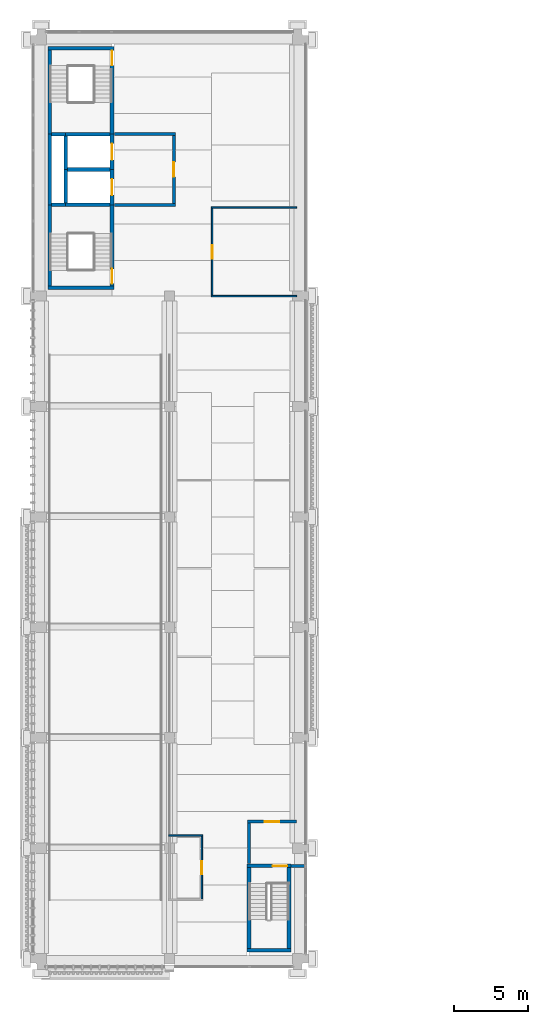
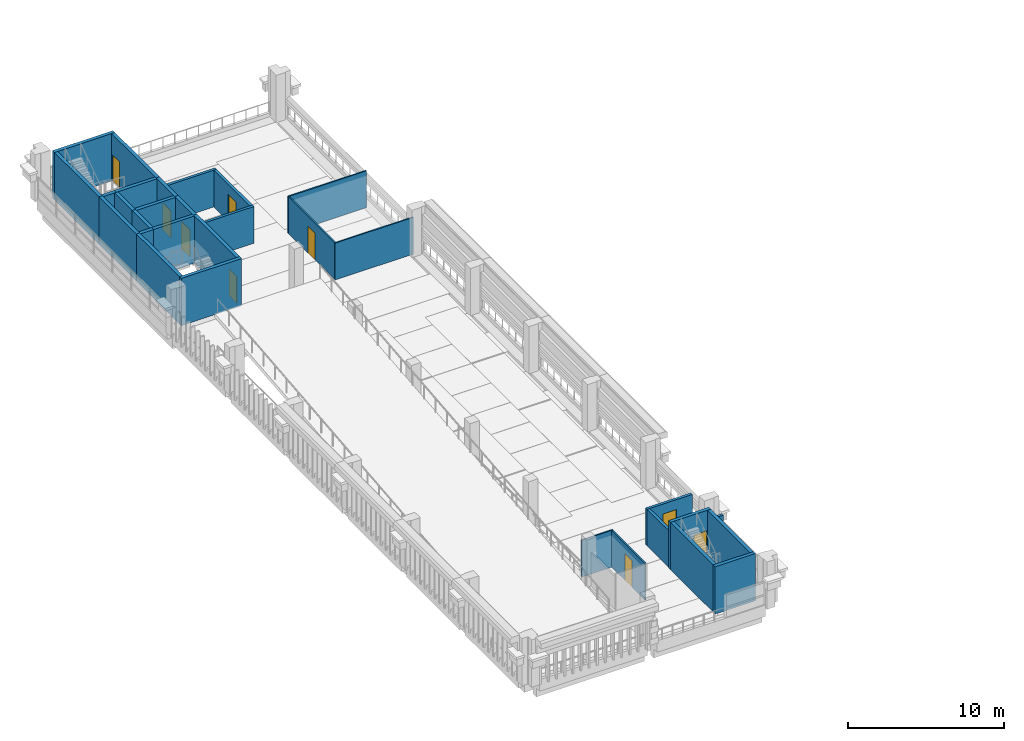
# One storey, part 9 of 25: 31 walls, 9 doors, 9 openings.
"""IFC4 building model written with IfcOpenShell, lengths in metres."""

from ifc_helpers import new_model, si_unit, direction, frame, frame_2d, origin, place, context, subcontext, project, spatial, rectangle, extrude, material, layer, layer_set, type_object, element, fill, save


model = new_model("IFC4")

# Units and contexts
model_context = context("Model", 3, precision=1e-05, world=origin(), true_north=direction((0.0, 1.0)))
body_context = subcontext(model_context, "Body", "Model", "MODEL_VIEW")
ifc_project = project(units=[si_unit("LENGTHUNIT", "METRE"), si_unit("AREAUNIT", "SQUARE_METRE"), si_unit("VOLUMEUNIT", "CUBIC_METRE"), si_unit("PLANEANGLEUNIT", "RADIAN"), si_unit("MASSUNIT", "GRAM", prefix="KILO")], contexts=[model_context])

# Site, building, storey
site_placement = place(None, origin())
site = spatial("IfcSite", under=ifc_project, at=site_placement, CompositionType="ELEMENT")
building_placement = place(site_placement, origin())
building = spatial("IfcBuilding", under=site, at=building_placement, Name="Cour d'Honneur Mobility Palace", CompositionType="ELEMENT")
storey_placement = place(building_placement, frame((0.0, 0.0, 30.39990234375)))
storey = spatial("IfcBuildingStorey", under=building, at=storey_placement, Name="L08", CompositionType="ELEMENT", Elevation=30.39990234375)

# Walls
ifc_material_1 = material(Name="Concrete C50", Category="concrete")
ifc_layer_1 = layer(ifc_material_1, 0.25)
ifc_layer_set_1 = layer_set([ifc_layer_1], Name="Concrete C50")
wall_type_1 = type_object("IfcWallType", Name="Lift shaft wall 250", PredefinedType="SHEAR", material=ifc_layer_set_1)
wall_1_placement = place(storey_placement, frame((1.77490234375, 53.60009765625, 0.0), z_axis=(0.0, 0.0, 1.0), x_axis=(1.0, 0.0, 0.0)))
element("IfcWall", 1, at=wall_1_placement, inside=storey, type_object=wall_type_1, Name="Lift shaft wall WL-CW4 L08", PredefinedType="SHEAR", context=body_context, shape_type="SweptSolid", body=[
    extrude(rectangle(XDim=2.900146484375, YDim=0.25, at=frame_2d((1.4501953125, 0.0))), origin(), (0.0, 0.0, 1.0), 3.7001953125),
])
wall_2_placement = place(storey_placement, frame((1.64990234375, 51.324951171875, 0.0), z_axis=(0.0, 0.0, 1.0), x_axis=(0.0, 1.0, 0.0)))
element("IfcWall", 2, at=wall_2_placement, inside=storey, type_object=wall_type_1, Name="Lift shaft wall WL-CW11 L08", PredefinedType="SHEAR", context=body_context, shape_type="SweptSolid", body=[
    extrude(rectangle(XDim=2.275146484375, YDim=0.25, at=frame_2d((1.1376953125, 0.0))), origin(), (0.0, 0.0, 1.0), 3.7001953125),
])
wall_3_placement = place(storey_placement, frame((1.64990234375, 53.60009765625, 0.0), z_axis=(0.0, 0.0, 1.0), x_axis=(0.0, 1.0, 0.0)))
element("IfcWall", 3, at=wall_3_placement, inside=storey, type_object=wall_type_1, Name="Lift shaft wall WL-CW12 L08", PredefinedType="SHEAR", context=body_context, shape_type="SweptSolid", body=[
    extrude(rectangle(XDim=2.27490234375, YDim=0.25, at=frame_2d((1.137451171875, 0.0))), origin(), (0.0, 0.0, 1.0), 3.7001953125),
])

# Wall, opening, door
wall_4_placement = place(storey_placement, frame((4.800048828125, 51.199951171875, 0.0), z_axis=(0.0, 0.0, 1.0), x_axis=(0.0, 1.0, 0.0)))
wall_4 = element("IfcWall", 4, at=wall_4_placement, inside=storey, type_object=wall_type_1, Name="Lift shaft wall WL-CW14 L08", PredefinedType="SHEAR", context=body_context, shape_type="SweptSolid", body=[
    extrude(rectangle(XDim=2.400146484375, YDim=0.25, at=frame_2d((1.2001953125, 0.0))), origin(), (0.0, 0.0, 1.0), 3.7001953125),
])
opening_1_placement = place(wall_4_placement, frame((0.64990234375, 0.0, 0.0)))
opening_1 = element("IfcOpeningElement", 5, at=opening_1_placement, cuts=wall_4, Name="Opening LD9", PredefinedType="OPENING", context=body_context, shape_type="SweptSolid", body=[
    extrude(rectangle(XDim=1.10009765625, YDim=2.10009765625, at=frame_2d((0.550048828125, 1.050048828125))), frame((0.0, 0.135009765625, 0.0), z_axis=(0.0, -1.0, 0.0), x_axis=(1.0, 0.0, 0.0)), (0.0, 0.0, 1.0), 0.27001953125),
])
ifc_material_2 = material(Name="Stainless steel", Category="steel")
door_type_1 = type_object("IfcDoorType", Name="Landing door 1100 x 2100", OperationType="SLIDING_TO_LEFT", PredefinedType="DOOR", material=ifc_material_2)
door_1_placement = place(opening_1_placement, origin())
door_1 = element("IfcDoor", 6, at=door_1_placement, inside=storey, type_object=door_type_1, Name="Landing door LF-CW1 L08", OperationType="SLIDING_TO_LEFT", OverallHeight=2.10009765625, OverallWidth=1.10009765625, PredefinedType="DOOR", context=body_context, shape_type="SweptSolid", body=[
    extrude(rectangle(XDim=1.10009765625, YDim=2.10009765625, at=frame_2d((0.550048828125, 1.050048828125))), frame((0.0, 0.02490234375, 0.0), z_axis=(0.0, -1.0, 0.0), x_axis=(1.0, 0.0, 0.0)), (0.0, 0.0, 1.0), 0.050048828125),
])
fill(opening_1, door_1)

wall_5_placement = place(storey_placement, frame((4.800048828125, 53.60009765625, 0.0), z_axis=(0.0, 0.0, 1.0), x_axis=(0.0, 1.0, 0.0)))
wall_5 = element("IfcWall", 7, at=wall_5_placement, inside=storey, type_object=wall_type_1, Name="Lift shaft wall WL-CW15 L08", PredefinedType="SHEAR", context=body_context, shape_type="SweptSolid", body=[
    extrude(rectangle(XDim=2.39990234375, YDim=0.25, at=frame_2d((1.199951171875, 0.0))), origin(), (0.0, 0.0, 1.0), 3.7001953125),
])
opening_2_placement = place(wall_5_placement, frame((0.64990234375, 0.0, 0.0)))
opening_2 = element("IfcOpeningElement", 8, at=opening_2_placement, cuts=wall_5, Name="Opening LD19", PredefinedType="OPENING", context=body_context, shape_type="SweptSolid", body=[
    extrude(rectangle(XDim=1.10009765625, YDim=2.10009765625, at=frame_2d((0.550048828125, 1.050048828125))), frame((0.0, 0.135009765625, 0.0), z_axis=(0.0, -1.0, 0.0), x_axis=(1.0, 0.0, 0.0)), (0.0, 0.0, 1.0), 0.27001953125),
])
door_2_placement = place(opening_2_placement, origin())
door_2 = element("IfcDoor", 9, at=door_2_placement, inside=storey, type_object=door_type_1, Name="Landing door LF-CW2 L08", OperationType="SLIDING_TO_LEFT", OverallHeight=2.10009765625, OverallWidth=1.10009765625, PredefinedType="DOOR", context=body_context, shape_type="SweptSolid", body=[
    extrude(rectangle(XDim=1.10009765625, YDim=2.10009765625, at=frame_2d((0.550048828125, 1.050048828125))), frame((0.0, 0.02490234375, 0.0), z_axis=(0.0, -1.0, 0.0), x_axis=(1.0, 0.0, 0.0)), (0.0, 0.0, 1.0), 0.050048828125),
])
fill(opening_2, door_2)

ifc_material_3 = material(Name="Gypsum plasterboard")
ifc_layer_2 = layer(ifc_material_3, 0.10009765625)
ifc_layer_set_2 = layer_set([ifc_layer_2], Name="Gypsum plasterboard")
wall_type_2 = type_object("IfcWallType", Name="Partition 100", PredefinedType="PARTITIONING", material=ifc_layer_set_2)
wall_6_placement = place(storey_placement, frame((10.89990234375, 4.050048828125, 0.0), z_axis=(0.0, 0.0, 1.0), x_axis=(0.0, 1.0, 0.0)))
wall_6 = element("IfcWall", 10, at=wall_6_placement, inside=storey, type_object=wall_type_2, Name="Partition 002", PredefinedType="PARTITIONING", context=body_context, shape_type="SweptSolid", body=[
    extrude(rectangle(XDim=4.25, YDim=0.10009765625, at=frame_2d((2.125, 0.0))), origin(), (0.0, 0.0, 1.0), 2.880126953125),
])
opening_3_placement = place(wall_6_placement, frame((1.675048828125, 0.0, 0.0)))
opening_3 = element("IfcOpeningElement", 11, at=opening_3_placement, cuts=wall_6, Name="Opening D0804", PredefinedType="OPENING", context=body_context, shape_type="SweptSolid", body=[
    extrude(rectangle(XDim=0.89990234375, YDim=2.10009765625, at=frame_2d((0.449951171875, 1.050048828125))), frame((0.0, 0.06005859375, 0.0), z_axis=(0.0, -1.0, 0.0), x_axis=(1.0, 0.0, 0.0)), (0.0, 0.0, 1.0), 0.1201171875),
])
ifc_material_4 = material(Name="Solid timber", Category="wood")
door_type_2 = type_object("IfcDoorType", Name="Single door 900 x 2100", OperationType="SINGLE_SWING_LEFT", PredefinedType="DOOR", material=ifc_material_4)
door_3_placement = place(opening_3_placement, origin())
door_3 = element("IfcDoor", 12, at=door_3_placement, inside=storey, type_object=door_type_2, Name="Door Valet Handover West", OperationType="SINGLE_SWING_LEFT", OverallHeight=2.10009765625, OverallWidth=0.89990234375, PredefinedType="DOOR", context=body_context, shape_type="SweptSolid", body=[
    extrude(rectangle(XDim=0.89990234375, YDim=2.10009765625, at=frame_2d((0.449951171875, 1.050048828125))), frame((0.0, 0.02490234375, 0.0), z_axis=(0.0, -1.0, 0.0), x_axis=(1.0, 0.0, 0.0)), (0.0, 0.0, 1.0), 0.050048828125),
])
fill(opening_3, door_3)

# Walls
wall_7_placement = place(storey_placement, frame((10.949951171875, 8.35009765625, 0.0), z_axis=(0.0, 0.0, 1.0), x_axis=(-1.0, 0.0, 0.0)))
element("IfcWall", 13, at=wall_7_placement, inside=storey, type_object=wall_type_2, Name="Partition 009", PredefinedType="PARTITIONING", context=body_context, shape_type="SweptSolid", body=[
    extrude(rectangle(XDim=2.300048828125, YDim=0.10009765625, at=frame_2d((1.14990234375, 0.0))), origin(), (0.0, 0.0, 1.0), 2.880126953125),
])
wall_8_placement = place(storey_placement, frame((11.550048828125, 45.0, 0.0), z_axis=(0.0, 0.0, 1.0), x_axis=(1.0, 0.0, 0.0)))
element("IfcWall", 14, at=wall_8_placement, inside=storey, type_object=wall_type_2, Name="Partition 015", PredefinedType="PARTITIONING", context=body_context, shape_type="SweptSolid", body=[
    extrude(rectangle(XDim=5.7900390625, YDim=0.10009765625, at=frame_2d((2.89501953125, 0.0))), origin(), (0.0, 0.0, 1.0), 2.880126953125),
])

# Wall, opening, door
wall_9_placement = place(storey_placement, frame((11.60009765625, 50.949951171875, 0.0), z_axis=(0.0, 0.0, 1.0), x_axis=(0.0, -1.0, 0.0)))
wall_9 = element("IfcWall", 15, at=wall_9_placement, inside=storey, type_object=wall_type_2, Name="Partition 018", PredefinedType="PARTITIONING", context=body_context, shape_type="SweptSolid", body=[
    extrude(rectangle(XDim=5.89990234375, YDim=0.10009765625, at=frame_2d((2.949951171875, 0.0))), origin(), (0.0, 0.0, 1.0), 2.880126953125),
])
opening_4_placement = place(wall_9_placement, frame((2.5, 0.0, 0.0)))
opening_4 = element("IfcOpeningElement", 16, at=opening_4_placement, cuts=wall_9, Name="Opening D0806", PredefinedType="OPENING", context=body_context, shape_type="SweptSolid", body=[
    extrude(rectangle(XDim=0.89990234375, YDim=2.10009765625, at=frame_2d((0.449951171875, 1.050048828125))), frame((0.0, 0.06005859375, 0.0), z_axis=(0.0, -1.0, 0.0), x_axis=(1.0, 0.0, 0.0)), (0.0, 0.0, 1.0), 0.1201171875),
])
door_4_placement = place(opening_4_placement, origin())
door_4 = element("IfcDoor", 17, at=door_4_placement, inside=storey, type_object=door_type_2, Name="Door Charging Control Room", OperationType="SINGLE_SWING_RIGHT", OverallHeight=2.10009765625, OverallWidth=0.89990234375, PredefinedType="DOOR", context=body_context, shape_type="SweptSolid", body=[
    extrude(rectangle(XDim=0.89990234375, YDim=2.10009765625, at=frame_2d((0.449951171875, 1.050048828125))), frame((0.0, 0.02490234375, 0.0), z_axis=(0.0, -1.0, 0.0), x_axis=(1.0, 0.0, 0.0)), (0.0, 0.0, 1.0), 0.050048828125),
])
fill(opening_4, door_4)

# Walls
wall_10_placement = place(storey_placement, frame((17.340087890625, 51.0, 0.0), z_axis=(0.0, 0.0, 1.0), x_axis=(-1.0, 0.0, 0.0)))
element("IfcWall", 18, at=wall_10_placement, inside=storey, type_object=wall_type_2, Name="Partition 019", PredefinedType="PARTITIONING", context=body_context, shape_type="SweptSolid", body=[
    extrude(rectangle(XDim=5.7900390625, YDim=0.10009765625, at=frame_2d((2.89501953125, 0.0))), origin(), (0.0, 0.0, 1.0), 2.880126953125),
])
ifc_material_5 = material(Name="Gypsum plasterboard")
ifc_layer_3 = layer(ifc_material_5, 0.199951171875)
ifc_layer_set_3 = layer_set([ifc_layer_3], Name="Gypsum plasterboard")
wall_type_3 = type_object("IfcWallType", Name="Partition 200 rated EI 120", PredefinedType="PARTITIONING", material=ifc_layer_set_3)
wall_11_placement = place(storey_placement, frame((16.949951171875, 6.300048828125, 0.0), z_axis=(0.0, 0.0, 1.0), x_axis=(1.0, 0.0, 0.0)))
element("IfcWall", 19, at=wall_11_placement, inside=storey, type_object=wall_type_3, Name="Partition 005", PredefinedType="PARTITIONING", context=body_context, shape_type="SweptSolid", body=[
    extrude(rectangle(XDim=0.949951171875, YDim=0.199951171875, at=frame_2d((0.47509765625, 0.0))), origin(), (0.0, 0.0, 1.0), 2.880126953125),
])
wall_12_placement = place(storey_placement, frame((14.10009765625, 9.199951171875, 0.0), z_axis=(0.0, 0.0, 1.0), x_axis=(0.0, -1.0, 0.0)))
element("IfcWall", 20, at=wall_12_placement, inside=storey, type_object=wall_type_3, Name="Partition 012", PredefinedType="PARTITIONING", context=body_context, shape_type="SweptSolid", body=[
    extrude(rectangle(XDim=2.724853515625, YDim=0.199951171875, at=frame_2d((1.3623046875, 0.0))), origin(), (0.0, 0.0, 1.0), 2.880126953125),
])

# Wall, opening, door
wall_13_placement = place(storey_placement, frame((17.340087890625, 9.300048828125, 0.0), z_axis=(0.0, 0.0, 1.0), x_axis=(-1.0, 0.0, 0.0)))
wall_13 = element("IfcWall", 21, at=wall_13_placement, inside=storey, type_object=wall_type_3, Name="Partition 013", PredefinedType="PARTITIONING", context=body_context, shape_type="SweptSolid", body=[
    extrude(rectangle(XDim=3.340087890625, YDim=0.199951171875, at=frame_2d((1.669921875, 0.0))), origin(), (0.0, 0.0, 1.0), 2.880126953125),
])
opening_5_placement = place(wall_13_placement, frame((1.169921875, 0.0, 0.0)))
opening_5 = element("IfcOpeningElement", 22, at=opening_5_placement, cuts=wall_13, Name="Opening D0802", PredefinedType="OPENING", context=body_context, shape_type="SweptSolid", body=[
    extrude(rectangle(XDim=1.0, YDim=2.10009765625, at=frame_2d((0.5, 1.050048828125))), frame((0.0, 0.10986328125, 0.0), z_axis=(0.0, -1.0, 0.0), x_axis=(1.0, 0.0, 0.0)), (0.0, 0.0, 1.0), 0.219970703125),
])
ifc_material_6 = material(Name="Galvanised steel", Category="steel")
door_type_3 = type_object("IfcDoorType", Name="Fire door FD120 1000 x 2100", OperationType="SINGLE_SWING_LEFT", PredefinedType="DOOR", material=ifc_material_6)
door_5_placement = place(opening_5_placement, origin())
door_5 = element("IfcDoor", 23, at=door_5_placement, inside=storey, type_object=door_type_3, Name="Door Stair Lobby RW", OperationType="SINGLE_SWING_LEFT", OverallHeight=2.10009765625, OverallWidth=1.0, PredefinedType="DOOR", context=body_context, shape_type="SweptSolid", body=[
    extrude(rectangle(XDim=1.0, YDim=2.10009765625, at=frame_2d((0.5, 1.050048828125))), frame((0.0, 0.02490234375, 0.0), z_axis=(0.0, -1.0, 0.0), x_axis=(1.0, 0.0, 0.0)), (0.0, 0.0, 1.0), 0.050048828125),
])
fill(opening_5, door_5)

# Wall
wall_14_placement = place(storey_placement, frame((4.97509765625, 51.199951171875, 0.0), z_axis=(0.0, 0.0, 1.0), x_axis=(1.0, 0.0, 0.0)))
element("IfcWall", 24, at=wall_14_placement, inside=storey, type_object=wall_type_3, Name="Partition 021", PredefinedType="PARTITIONING", context=body_context, shape_type="SweptSolid", body=[
    extrude(rectangle(XDim=4.125, YDim=0.199951171875, at=frame_2d((2.0625, 0.0))), origin(), (0.0, 0.0, 1.0), 2.880126953125),
])

# Wall, opening, door
wall_15_placement = place(storey_placement, frame((9.0, 51.300048828125, 0.0), z_axis=(0.0, 0.0, 1.0), x_axis=(0.0, 1.0, 0.0)))
wall_15 = element("IfcWall", 25, at=wall_15_placement, inside=storey, type_object=wall_type_3, Name="Partition 022", PredefinedType="PARTITIONING", context=body_context, shape_type="SweptSolid", body=[
    extrude(rectangle(XDim=4.599853515625, YDim=0.199951171875, at=frame_2d((2.2998046875, 0.0))), origin(), (0.0, 0.0, 1.0), 2.880126953125),
])
opening_6_placement = place(wall_15_placement, frame((1.800048828125, 0.0, 0.0)))
opening_6 = element("IfcOpeningElement", 26, at=opening_6_placement, cuts=wall_15, Name="Opening D0801", PredefinedType="OPENING", context=body_context, shape_type="SweptSolid", body=[
    extrude(rectangle(XDim=1.0, YDim=2.10009765625, at=frame_2d((0.5, 1.050048828125))), frame((0.0, 0.10986328125, 0.0), z_axis=(0.0, -1.0, 0.0), x_axis=(1.0, 0.0, 0.0)), (0.0, 0.0, 1.0), 0.219970703125),
])
door_6_placement = place(opening_6_placement, origin())
door_6 = element("IfcDoor", 27, at=door_6_placement, inside=storey, type_object=door_type_3, Name="Door Firefighting Lobby CW", OperationType="SINGLE_SWING_RIGHT", OverallHeight=2.10009765625, OverallWidth=1.0, PredefinedType="DOOR", context=body_context, shape_type="SweptSolid", body=[
    extrude(rectangle(XDim=1.0, YDim=2.10009765625, at=frame_2d((0.5, 1.050048828125))), frame((0.0, 0.02490234375, 0.0), z_axis=(0.0, -1.0, 0.0), x_axis=(1.0, 0.0, 0.0)), (0.0, 0.0, 1.0), 0.050048828125),
])
fill(opening_6, door_6)

# Walls
wall_16_placement = place(storey_placement, frame((9.10009765625, 56.0, 0.0), z_axis=(0.0, 0.0, 1.0), x_axis=(-1.0, 0.0, 0.0)))
element("IfcWall", 28, at=wall_16_placement, inside=storey, type_object=wall_type_3, Name="Partition 024", PredefinedType="PARTITIONING", context=body_context, shape_type="SweptSolid", body=[
    extrude(rectangle(XDim=4.125, YDim=0.199951171875, at=frame_2d((2.0625, 0.0))), origin(), (0.0, 0.0, 1.0), 2.880126953125),
])
ifc_material_7 = material(Name="Concrete C50", Category="concrete")
ifc_layer_4 = layer(ifc_material_7, 0.25)
ifc_layer_set_4 = layer_set([ifc_layer_4], Name="Concrete C50")
wall_type_4 = type_object("IfcWallType", Name="Shaft wall 250", PredefinedType="SHEAR", material=ifc_layer_set_4)
wall_17_placement = place(storey_placement, frame((0.574951171875, 51.199951171875, 0.0), z_axis=(0.0, 0.0, 1.0), x_axis=(0.0, 1.0, 0.0)))
element("IfcWall", 29, at=wall_17_placement, inside=storey, type_object=wall_type_4, Name="Shaft wall WR-CW9 L08", PredefinedType="SHEAR", context=body_context, shape_type="SweptSolid", body=[
    extrude(rectangle(XDim=4.800048828125, YDim=0.25, at=frame_2d((2.39990234375, 0.0))), origin(), (0.0, 0.0, 1.0), 3.7001953125),
])
ifc_material_8 = material(Name="Concrete C50", Category="concrete")
ifc_layer_5 = layer(ifc_material_8, 0.25)
ifc_layer_set_5 = layer_set([ifc_layer_5], Name="Concrete C50")
wall_type_5 = type_object("IfcWallType", Name="Stair wall 250", PredefinedType="SHEAR", material=ifc_layer_set_5)
wall_18_placement = place(storey_placement, frame((0.449951171875, 45.574951171875, 0.0), z_axis=(0.0, 0.0, 1.0), x_axis=(1.0, 0.0, 0.0)))
element("IfcWall", 30, at=wall_18_placement, inside=storey, type_object=wall_type_5, Name="Stair wall WS-CW1 L08", PredefinedType="SHEAR", context=body_context, shape_type="SweptSolid", body=[
    extrude(rectangle(XDim=4.47509765625, YDim=0.25, at=frame_2d((2.237548828125, 0.0))), origin(), (0.0, 0.0, 1.0), 3.7001953125),
])
wall_19_placement = place(storey_placement, frame((0.699951171875, 51.199951171875, 0.0), z_axis=(0.0, 0.0, 1.0), x_axis=(1.0, 0.0, 0.0)))
element("IfcWall", 31, at=wall_19_placement, inside=storey, type_object=wall_type_5, Name="Stair wall WS-CW2 L08", PredefinedType="SHEAR", context=body_context, shape_type="SweptSolid", body=[
    extrude(rectangle(XDim=0.949951171875, YDim=0.25, at=frame_2d((0.47509765625, 0.0))), origin(), (0.0, 0.0, 1.0), 3.7001953125),
])
wall_20_placement = place(storey_placement, frame((1.64990234375, 51.199951171875, 0.0), z_axis=(0.0, 0.0, 1.0), x_axis=(1.0, 0.0, 0.0)))
element("IfcWall", 32, at=wall_20_placement, inside=storey, type_object=wall_type_5, Name="Stair wall WS-CW3 L08", PredefinedType="SHEAR", context=body_context, shape_type="SweptSolid", body=[
    extrude(rectangle(XDim=3.025146484375, YDim=0.25, at=frame_2d((1.5126953125, 0.0))), origin(), (0.0, 0.0, 1.0), 3.7001953125),
])
wall_21_placement = place(storey_placement, frame((0.699951171875, 56.0, 0.0), z_axis=(0.0, 0.0, 1.0), x_axis=(1.0, 0.0, 0.0)))
element("IfcWall", 33, at=wall_21_placement, inside=storey, type_object=wall_type_5, Name="Stair wall WS-CW5 L08", PredefinedType="SHEAR", context=body_context, shape_type="SweptSolid", body=[
    extrude(rectangle(XDim=0.949951171875, YDim=0.25, at=frame_2d((0.47509765625, 0.0))), origin(), (0.0, 0.0, 1.0), 3.7001953125),
])
wall_22_placement = place(storey_placement, frame((1.64990234375, 56.0, 0.0), z_axis=(0.0, 0.0, 1.0), x_axis=(1.0, 0.0, 0.0)))
element("IfcWall", 34, at=wall_22_placement, inside=storey, type_object=wall_type_5, Name="Stair wall WS-CW6 L08", PredefinedType="SHEAR", context=body_context, shape_type="SweptSolid", body=[
    extrude(rectangle(XDim=3.025146484375, YDim=0.25, at=frame_2d((1.5126953125, 0.0))), origin(), (0.0, 0.0, 1.0), 3.7001953125),
])
wall_23_placement = place(storey_placement, frame((0.449951171875, 61.824951171875, 0.0), z_axis=(0.0, 0.0, 1.0), x_axis=(1.0, 0.0, 0.0)))
element("IfcWall", 35, at=wall_23_placement, inside=storey, type_object=wall_type_5, Name="Stair wall WS-CW7 L08", PredefinedType="SHEAR", context=body_context, shape_type="SweptSolid", body=[
    extrude(rectangle(XDim=4.47509765625, YDim=0.25, at=frame_2d((2.237548828125, 0.0))), origin(), (0.0, 0.0, 1.0), 3.7001953125),
])
wall_24_placement = place(storey_placement, frame((0.574951171875, 45.699951171875, 0.0), z_axis=(0.0, 0.0, 1.0), x_axis=(0.0, 1.0, 0.0)))
element("IfcWall", 36, at=wall_24_placement, inside=storey, type_object=wall_type_5, Name="Stair wall WS-CW8 L08", PredefinedType="SHEAR", context=body_context, shape_type="SweptSolid", body=[
    extrude(rectangle(XDim=5.5, YDim=0.25, at=frame_2d((2.75, 0.0))), origin(), (0.0, 0.0, 1.0), 3.7001953125),
])
wall_25_placement = place(storey_placement, frame((0.574951171875, 56.0, 0.0), z_axis=(0.0, 0.0, 1.0), x_axis=(0.0, 1.0, 0.0)))
element("IfcWall", 37, at=wall_25_placement, inside=storey, type_object=wall_type_5, Name="Stair wall WS-CW10 L08", PredefinedType="SHEAR", context=body_context, shape_type="SweptSolid", body=[
    extrude(rectangle(XDim=5.699951171875, YDim=0.25, at=frame_2d((2.85009765625, 0.0))), origin(), (0.0, 0.0, 1.0), 3.7001953125),
])

# Wall, opening, door
wall_26_placement = place(storey_placement, frame((4.800048828125, 45.699951171875, 0.0), z_axis=(0.0, 0.0, 1.0), x_axis=(0.0, 1.0, 0.0)))
wall_26 = element("IfcWall", 38, at=wall_26_placement, inside=storey, type_object=wall_type_5, Name="Stair wall WS-CW13 L08", PredefinedType="SHEAR", context=body_context, shape_type="SweptSolid", body=[
    extrude(rectangle(XDim=5.5, YDim=0.25, at=frame_2d((2.75, 0.0))), origin(), (0.0, 0.0, 1.0), 3.7001953125),
])
opening_7_placement = place(wall_26_placement, frame((0.14990234375, 0.0, 0.0)))
opening_7 = element("IfcOpeningElement", 39, at=opening_7_placement, cuts=wall_26, Name="Opening S137", PredefinedType="OPENING", context=body_context, shape_type="SweptSolid", body=[
    extrude(rectangle(XDim=1.0, YDim=2.10009765625, at=frame_2d((0.5, 1.050048828125))), frame((0.0, 0.135009765625, 0.0), z_axis=(0.0, -1.0, 0.0), x_axis=(1.0, 0.0, 0.0)), (0.0, 0.0, 1.0), 0.27001953125),
])
ifc_material_9 = material(Name="Galvanised steel", Category="steel")
door_type_4 = type_object("IfcDoorType", Name="Fire door FD120 stair 1000 x 2100", OperationType="SINGLE_SWING_LEFT", PredefinedType="DOOR", material=ifc_material_9)
door_7_placement = place(opening_7_placement, origin())
door_7 = element("IfcDoor", 40, at=door_7_placement, inside=storey, type_object=door_type_4, Name="Stair door ST-CW1 L08", OperationType="SINGLE_SWING_RIGHT", OverallHeight=2.10009765625, OverallWidth=1.0, PredefinedType="DOOR", context=body_context, shape_type="SweptSolid", body=[
    extrude(rectangle(XDim=1.0, YDim=2.10009765625, at=frame_2d((0.5, 1.050048828125))), frame((0.0, 0.02490234375, 0.0), z_axis=(0.0, -1.0, 0.0), x_axis=(1.0, 0.0, 0.0)), (0.0, 0.0, 1.0), 0.050048828125),
])
fill(opening_7, door_7)

wall_27_placement = place(storey_placement, frame((4.800048828125, 56.0, 0.0), z_axis=(0.0, 0.0, 1.0), x_axis=(0.0, 1.0, 0.0)))
wall_27 = element("IfcWall", 41, at=wall_27_placement, inside=storey, type_object=wall_type_5, Name="Stair wall WS-CW16 L08", PredefinedType="SHEAR", context=body_context, shape_type="SweptSolid", body=[
    extrude(rectangle(XDim=5.699951171875, YDim=0.25, at=frame_2d((2.85009765625, 0.0))), origin(), (0.0, 0.0, 1.0), 3.7001953125),
])
opening_8_placement = place(wall_27_placement, frame((4.675048828125, 0.0, 0.0)))
opening_8 = element("IfcOpeningElement", 42, at=opening_8_placement, cuts=wall_27, Name="Opening S73", PredefinedType="OPENING", context=body_context, shape_type="SweptSolid", body=[
    extrude(rectangle(XDim=1.0, YDim=2.10009765625, at=frame_2d((0.5, 1.050048828125))), frame((0.0, 0.135009765625, 0.0), z_axis=(0.0, -1.0, 0.0), x_axis=(1.0, 0.0, 0.0)), (0.0, 0.0, 1.0), 0.27001953125),
])
door_8_placement = place(opening_8_placement, origin())
door_8 = element("IfcDoor", 43, at=door_8_placement, inside=storey, type_object=door_type_4, Name="Stair door ST-CW2 L08", OperationType="SINGLE_SWING_LEFT", OverallHeight=2.10009765625, OverallWidth=1.0, PredefinedType="DOOR", context=body_context, shape_type="SweptSolid", body=[
    extrude(rectangle(XDim=1.0, YDim=2.10009765625, at=frame_2d((0.5, 1.050048828125))), frame((0.0, 0.02490234375, 0.0), z_axis=(0.0, -1.0, 0.0), x_axis=(1.0, 0.0, 0.0)), (0.0, 0.0, 1.0), 0.050048828125),
])
fill(opening_8, door_8)

# Wall
wall_28_placement = place(storey_placement, frame((13.97509765625, 0.574951171875, 0.0), z_axis=(0.0, 0.0, 1.0), x_axis=(1.0, 0.0, 0.0)))
element("IfcWall", 44, at=wall_28_placement, inside=storey, type_object=wall_type_5, Name="Stair wall WS-RW1 L08", PredefinedType="SHEAR", context=body_context, shape_type="SweptSolid", body=[
    extrude(rectangle(XDim=2.974853515625, YDim=0.25, at=frame_2d((1.4873046875, 0.0))), origin(), (0.0, 0.0, 1.0), 3.7001953125),
])

# Wall, opening, door
wall_29_placement = place(storey_placement, frame((13.97509765625, 6.300048828125, 0.0), z_axis=(0.0, 0.0, 1.0), x_axis=(1.0, 0.0, 0.0)))
wall_29 = element("IfcWall", 45, at=wall_29_placement, inside=storey, type_object=wall_type_5, Name="Stair wall WS-RW2 L08", PredefinedType="SHEAR", context=body_context, shape_type="SweptSolid", body=[
    extrude(rectangle(XDim=2.974853515625, YDim=0.25, at=frame_2d((1.4873046875, 0.0))), origin(), (0.0, 0.0, 1.0), 3.7001953125),
])
opening_9_placement = place(wall_29_placement, frame((1.72509765625, 0.0, 0.0)))
opening_9 = element("IfcOpeningElement", 46, at=opening_9_placement, cuts=wall_29, Name="Opening S117", PredefinedType="OPENING", context=body_context, shape_type="SweptSolid", body=[
    extrude(rectangle(XDim=1.0, YDim=2.10009765625, at=frame_2d((0.5, 1.050048828125))), frame((0.0, 0.135009765625, 0.0), z_axis=(0.0, -1.0, 0.0), x_axis=(1.0, 0.0, 0.0)), (0.0, 0.0, 1.0), 0.27001953125),
])
door_9_placement = place(opening_9_placement, origin())
door_9 = element("IfcDoor", 47, at=door_9_placement, inside=storey, type_object=door_type_4, Name="Stair door ST-RW1 L08", OperationType="SINGLE_SWING_RIGHT", OverallHeight=2.10009765625, OverallWidth=1.0, PredefinedType="DOOR", context=body_context, shape_type="SweptSolid", body=[
    extrude(rectangle(XDim=1.0, YDim=2.10009765625, at=frame_2d((0.5, 1.050048828125))), frame((0.0, 0.02490234375, 0.0), z_axis=(0.0, -1.0, 0.0), x_axis=(1.0, 0.0, 0.0)), (0.0, 0.0, 1.0), 0.050048828125),
])
fill(opening_9, door_9)

# Walls
for number, where, z_axis, x_axis, name in (
    (48, (14.10009765625, 0.699951171875, 0.0), (0.0, 0.0, 1.0), (0.0, 1.0, 0.0), "Stair wall WS-RW3 L08"),
    (49, (16.824951171875, 0.699951171875, 0.0), (0.0, 0.0, 1.0), (0.0, 1.0, 0.0), "Stair wall WS-RW4 L08"),
):
    element("IfcWall", number, at=place(storey_placement, frame(where, z_axis=z_axis, x_axis=x_axis)), inside=storey, type_object=wall_type_5, Name=name, PredefinedType="SHEAR", context=body_context, shape_type="SweptSolid", body=[
        extrude(rectangle(XDim=5.47509765625, YDim=0.25, at=frame_2d((2.737548828125, 0.0))), origin(), (0.0, 0.0, 1.0), 3.7001953125),
    ])

save(model, "model.ifc")
